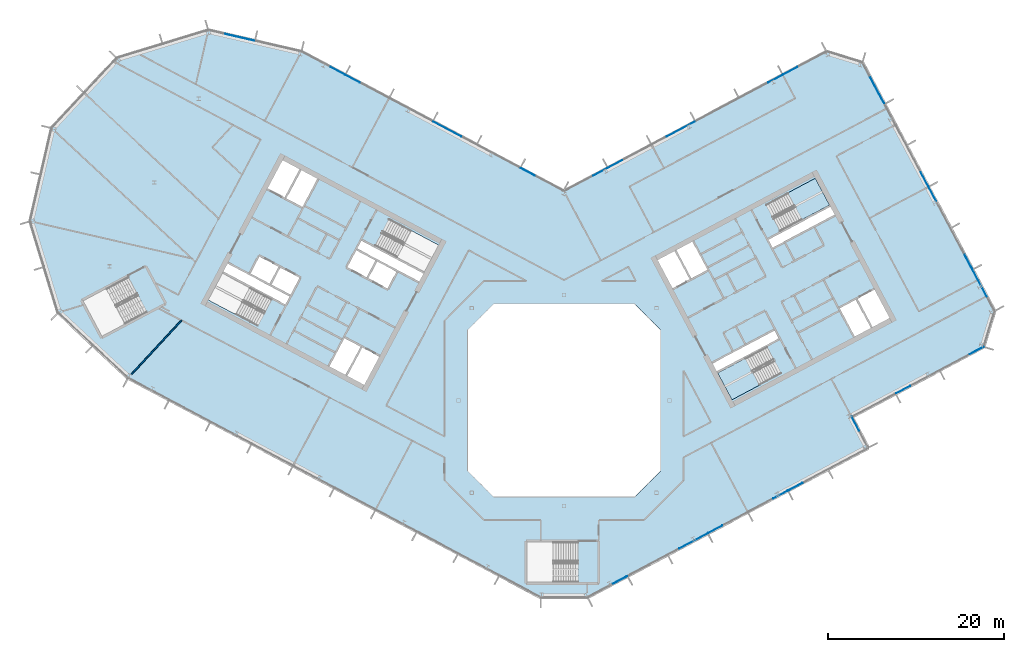
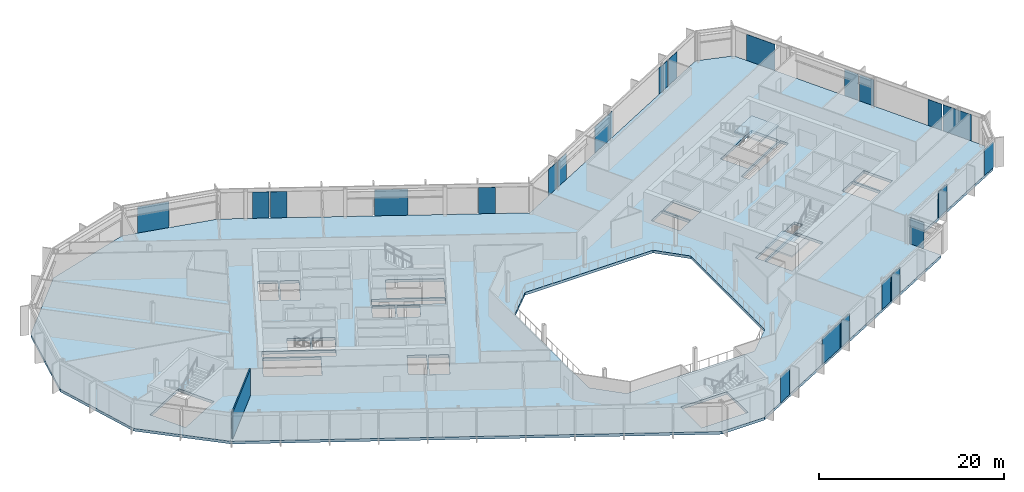
# One storey, part 12 of 27: 23 plates, 3 slabs, 1 wall, 9 elements without a shape of their own.
"""IFC4 building model written with IfcOpenShell, lengths in metres."""

import ifcopenshell
import ifcopenshell.guid

model = None  # the IFC model being written
_history = None  # IfcOwnerHistory: only IFC2X3 demands one
_inside = {}  # id of a spatial element -> (the spatial element, [elements in it])
_under = {}  # id of a project, library or spatial element -> (it, [spatial elements below it])
_declared = {}  # id of a project -> (the project, [libraries it declares])
_typed = {}  # id of a type object -> (the type object, [elements of that type])
_made_of = {}  # id of a material, layer set ... -> (it, [elements and type objects made of it])


def new_model(schema):
    """Start an empty IFC model of exactly this schema.

    Asked for "IFC4X3", IfcOpenShell would pick the latest addendum, in which some entities
    have other attributes; the version numbers below select the first issue.
    IFC2X3 requires an IfcOwnerHistory on every rooted entity: one is made here for all.
    """
    global model, _history
    if schema == "IFC4X3":
        model = ifcopenshell.file(schema_version=(4, 3, 0, 0))
    else:
        model = ifcopenshell.file(schema=schema)
    _inside.clear()
    _under.clear()
    _declared.clear()
    _typed.clear()
    _made_of.clear()
    _history = None
    if model.schema == "IFC2X3":
        org = make("IfcOrganization", Name="unknown")
        user = make(
            "IfcPersonAndOrganization",
            ThePerson=make("IfcPerson", FamilyName="unknown"),
            TheOrganization=org,
        )
        app = make(
            "IfcApplication",
            ApplicationDeveloper=org,
            Version="unknown",
            ApplicationFullName="unknown",
            ApplicationIdentifier="unknown",
        )
        _history = make(
            "IfcOwnerHistory",
            OwningUser=user,
            OwningApplication=app,
            ChangeAction="ADDED",
            CreationDate=0,
        )
    return model


def make(cls, **values):
    """One entity of the class cls with the attributes given. An attribute that is None is left unset."""
    return model.create_entity(
        cls, **{name: value for name, value in values.items() if value is not None}
    )


def rooted(cls, **values):
    """An entity with a GlobalId (a new one), such as an element, a storey or a relation."""
    return make(cls, GlobalId=ifcopenshell.guid.new(), OwnerHistory=_history, **values)


def si_unit(unit_type, name, prefix=None):
    """IfcSIUnit, for example si_unit("LENGTHUNIT", "METRE", prefix="MILLI")."""
    return make("IfcSIUnit", UnitType=unit_type, Prefix=prefix, Name=name)


def assignment(units):
    """IfcUnitAssignment: the units of a project."""
    return None if units is None else make("IfcUnitAssignment", Units=units)


def point(xyz):
    """IfcCartesianPoint."""
    return None if xyz is None else make("IfcCartesianPoint", Coordinates=xyz)


def direction(xyz):
    """IfcDirection."""
    return None if xyz is None else make("IfcDirection", DirectionRatios=xyz)


def frame(location, z_axis=None, x_axis=None):
    """IfcAxis2Placement3D, a coordinate frame: its origin and axes. An axis left out is left unset."""
    return make(
        "IfcAxis2Placement3D",
        Location=point(location),
        Axis=direction(z_axis),
        RefDirection=direction(x_axis),
    )


def frame_2d(location, x_axis=None):
    """IfcAxis2Placement2D, a coordinate frame in the plane: its origin and x axis."""
    return make(
        "IfcAxis2Placement2D", Location=point(location), RefDirection=direction(x_axis)
    )


def origin():
    """The frame at (0, 0, 0) with its axes left unset."""
    return frame((0.0, 0.0, 0.0))


def origin_2d():
    """The frame at (0, 0) in the plane with its x axis left unset."""
    return frame_2d((0.0, 0.0))


def place(relative_to, where):
    """IfcLocalPlacement: puts the frame where relative to a parent placement (None: the world)."""
    return make(
        "IfcLocalPlacement", PlacementRelTo=relative_to, RelativePlacement=where
    )


def context(
    kind, dimensions, precision=None, world=None, true_north=None, identifier=None
):
    """IfcGeometricRepresentationContext, for example the 3D "Model" context."""
    return make(
        "IfcGeometricRepresentationContext",
        ContextIdentifier=identifier,
        ContextType=kind,
        CoordinateSpaceDimension=dimensions,
        Precision=precision,
        WorldCoordinateSystem=world,
        TrueNorth=true_north,
    )


def subcontext(parent, identifier, kind, view, scale=None):
    """IfcGeometricRepresentationSubContext, for example "Body" below "Model"."""
    return make(
        "IfcGeometricRepresentationSubContext",
        ContextIdentifier=identifier,
        ContextType=kind,
        ParentContext=parent,
        TargetScale=scale,
        TargetView=view,
    )


def project(units=None, contexts=None):
    """IfcProject with its units and contexts."""
    return rooted(
        "IfcProject",
        Name="project",
        RepresentationContexts=contexts,
        UnitsInContext=assignment(units),
    )


def spatial(cls, under=None, at=None, **own):
    """A site, building, storey or space (cls), placed at a placement, below another one or the project."""
    s = rooted(cls, ObjectPlacement=at, **own)
    if under is not None:
        _under.setdefault(under.id(), (under, []))[1].append(s)
    return s


def polyline(points):
    """IfcPolyline through the points."""
    return make("IfcPolyline", Points=[point(p) for p in points])


def profile(cls, at=None, kind="AREA", **sizes):
    """A parametric profile (cls). Its sizes go by their IFC names, for example OverallWidth=200.0."""
    return make(cls, ProfileType=kind, Position=at, **sizes)


def rectangle(**sizes):
    """IfcRectangleProfileDef."""
    return profile("IfcRectangleProfileDef", **sizes)


def outline(outer, holes=None, kind="AREA"):
    """IfcArbitraryClosedProfileDef: a profile drawn as a closed curve; with holes, ...WithVoids."""
    if holes is None:
        return make("IfcArbitraryClosedProfileDef", ProfileType=kind, OuterCurve=outer)
    return make(
        "IfcArbitraryProfileDefWithVoids",
        ProfileType=kind,
        OuterCurve=outer,
        InnerCurves=holes,
    )


def extrude(swept, where, along, depth):
    """IfcExtrudedAreaSolid: the profile swept, set in the frame where, extruded along a direction by depth."""
    return make(
        "IfcExtrudedAreaSolid",
        SweptArea=swept,
        Position=where,
        ExtrudedDirection=direction(along),
        Depth=depth,
    )


def shape(context_of_items, identifier, shape_type, items):
    """IfcShapeRepresentation: the items that make up one representation, for example the "Body"."""
    return make(
        "IfcShapeRepresentation",
        ContextOfItems=context_of_items,
        RepresentationIdentifier=identifier,
        RepresentationType=shape_type,
        Items=items,
    )


def material(Name=None, Category=None):
    """IfcMaterial."""
    return make("IfcMaterial", Name=Name, Category=Category)


def layer(
    of_material, thickness, ventilated=None, Name=None, Category=None, Priority=None
):
    """IfcMaterialLayer: one layer of a wall or slab, of a material (None: an air gap)."""
    return make(
        "IfcMaterialLayer",
        Material=of_material,
        LayerThickness=thickness,
        IsVentilated=ventilated,
        Name=Name,
        Category=Category,
        Priority=Priority,
    )


def layer_set(layers, Name=None):
    """IfcMaterialLayerSet."""
    return make("IfcMaterialLayerSet", MaterialLayers=layers, LayerSetName=Name)


def made_of(thing, what):
    """Note that an element or type object is made of a material, layer set ...; save() writes the relation."""
    if what is not None:
        _made_of.setdefault(what.id(), (what, []))[1].append(thing)
    return thing


def type_object(cls, material=None, **own):
    """A type object (cls), such as IfcWallType, which elements share."""
    return made_of(rooted(cls, **own), material)


def element(
    cls,
    number,
    at=None,
    inside=None,
    cuts=None,
    type_object=None,
    material=None,
    context=None,
    identifier="Body",
    shape_type=None,
    held_by="IfcProductDefinitionShape",
    body=None,
    shapes=None,
    **own,
):
    """One element of the class cls, such as IfcWall. Its Tag is "e" and its number.

    at: its placement. inside: the storey or other place that contains it. cuts: it is an
    opening in that element (IfcRelVoidsElement). A single representation is given by context,
    identifier, shape_type and body (its items); several are given by shapes. held_by: the class
    of the entity that holds the representations. save() writes the other relations.
    """
    e = rooted(cls, Tag="e%d" % number, ObjectPlacement=at, **own)
    if body is not None:
        shapes = [shape(context, identifier, shape_type, body)]
    if shapes is not None:
        e.Representation = make(held_by, Representations=shapes)
    if inside is not None:
        _inside.setdefault(inside.id(), (inside, []))[1].append(e)
    if cuts is not None:
        rooted(
            "IfcRelVoidsElement", RelatingBuildingElement=cuts, RelatedOpeningElement=e
        )
    if type_object is not None:
        _typed.setdefault(type_object.id(), (type_object, []))[1].append(e)
    return made_of(e, material)


def aggregate(whole, parts):
    """IfcRelAggregates: a whole, such as a stair, and the parts it consists of."""
    return rooted("IfcRelAggregates", RelatingObject=whole, RelatedObjects=parts)


def save(model, path):
    """Write the relations noted so far, then the file.

    IfcRelAggregates (storeys below a building ...), IfcRelContainedInSpatialStructure (elements
    in a storey), IfcRelDefinesByType, IfcRelAssociatesMaterial and IfcRelDeclares: one each for
    every whole, place, type object, material and project.
    """
    for whole, parts in _under.values():
        aggregate(whole, parts)
    for where, things in _inside.values():
        rooted(
            "IfcRelContainedInSpatialStructure",
            RelatedElements=things,
            RelatingStructure=where,
        )
    for kind, things in _typed.values():
        rooted("IfcRelDefinesByType", RelatedObjects=things, RelatingType=kind)
    for what, things in _made_of.values():
        rooted("IfcRelAssociatesMaterial", RelatedObjects=things, RelatingMaterial=what)
    for by, libraries in _declared.values():
        rooted("IfcRelDeclares", RelatingContext=by, RelatedDefinitions=libraries)
    model.write(path)


model = new_model("IFC4")

# Units and contexts
model_context = context("Model", 3, precision=1e-05, world=origin(), true_north=direction((0.0, 1.0)))
body_context = subcontext(model_context, "Body", "Model", "MODEL_VIEW")
ifc_project = project(units=[si_unit("LENGTHUNIT", "METRE"), si_unit("AREAUNIT", "SQUARE_METRE"), si_unit("VOLUMEUNIT", "CUBIC_METRE"), si_unit("PLANEANGLEUNIT", "RADIAN"), si_unit("MASSUNIT", "GRAM", prefix="KILO")], contexts=[model_context])

# Site, building, storey
site_placement = place(None, origin())
site = spatial("IfcSite", under=ifc_project, at=site_placement, CompositionType="ELEMENT")
building_placement = place(site_placement, origin())
building = spatial("IfcBuilding", under=site, at=building_placement, Name="Cormorant Relay Tower", CompositionType="ELEMENT")
storey_placement = place(building_placement, frame((0.0, 0.0, 216.89990234375)))
storey = spatial("IfcBuildingStorey", under=building, at=storey_placement, Name="L47", CompositionType="ELEMENT", Elevation=216.89990234375)

# Curtain wall, plates
ifc_material_1 = material(Name="Aluminium 6063-T6 anodised bronze", Category="aluminium")
ifc_layer_1 = layer(ifc_material_1, 0.199951171875)
ifc_layer_set_1 = layer_set([ifc_layer_1], Name="CW1 unitised bronze curtain wall with vertical fins")
curtain_wall_type = type_object("IfcCurtainWallType", Name="CW1 unitised bronze curtain wall with vertical fins", PredefinedType="NOTDEFINED", material=ifc_layer_set_1)
curtain_wall_1_placement = place(storey_placement, origin())
curtain_wall_1 = element("IfcCurtainWall", 1, at=curtain_wall_1_placement, inside=storey, type_object=curtain_wall_type, Name="CW1 curtain wall 2", PredefinedType="NOTDEFINED")
ifc_material_2 = material(Name="Tinted laminated glass", Category="glass")
ifc_layer_2 = layer(ifc_material_2, 0.0400390625)
ifc_layer_set_2 = layer_set([ifc_layer_2], Name="CW1 tinted vision panel 1800 module")
plate_type_1 = type_object("IfcPlateType", Name="CW1 tinted vision panel 1800 module", PredefinedType="CURTAIN_PANEL", material=ifc_layer_set_2)
plate_1_placement = place(storey_placement, frame((6.359130859375, -20.42529296875, 0.0), z_axis=(0.0, 0.0, 1.0), x_axis=(0.882947592859, 0.469471562786, 0.0)))
plate_1 = element("IfcPlate", 2, at=plate_1_placement, type_object=plate_type_1, Name="CW1 panel V01", PredefinedType="CURTAIN_PANEL", context=body_context, shape_type="SweptSolid", body=[
    extrude(rectangle(XDim=1.800048828125, YDim=0.0400390625, at=origin_2d()), origin(), (0.0, 0.0, 1.0), 3.449951171875),
])
plate_2_placement = place(storey_placement, frame((17.20458984375, -14.65869140625, 0.0), z_axis=(0.0, 0.0, 1.0), x_axis=(0.882947592859, 0.469471562786, 0.0)))
plate_2 = element("IfcPlate", 3, at=plate_2_placement, type_object=plate_type_1, Name="CW1 panel V04", PredefinedType="CURTAIN_PANEL", context=body_context, shape_type="SweptSolid", body=[
    extrude(rectangle(XDim=1.800048828125, YDim=0.0400390625, at=origin_2d()), origin(), (0.0, 0.0, 1.0), 3.449951171875),
])
plate_3_placement = place(storey_placement, frame((24.6064453125, -10.72314453125, 0.0), z_axis=(0.0, 0.0, 1.0), x_axis=(0.882947592859, 0.469471562786, 0.0)))
plate_3 = element("IfcPlate", 4, at=plate_3_placement, type_object=plate_type_1, Name="CW1 panel V06", PredefinedType="CURTAIN_PANEL", context=body_context, shape_type="SweptSolid", body=[
    extrude(rectangle(XDim=1.800048828125, YDim=0.0400390625, at=origin_2d()), origin(), (0.0, 0.0, 1.0), 3.449951171875),
])
plate_4_placement = place(storey_placement, frame((26.328125, -9.8076171875, 0.0), z_axis=(0.0, 0.0, 1.0), x_axis=(0.882947592859, 0.469471562786, 0.0)))
plate_4 = element("IfcPlate", 5, at=plate_4_placement, type_object=plate_type_1, Name="CW1 panel V07", PredefinedType="CURTAIN_PANEL", context=body_context, shape_type="SweptSolid", body=[
    extrude(rectangle(XDim=1.800048828125, YDim=0.0400390625, at=origin_2d()), origin(), (0.0, 0.0, 1.0), 3.449951171875),
])

# Curtain wall, plate
curtain_wall_2_placement = place(storey_placement, origin())
curtain_wall_2 = element("IfcCurtainWall", 6, at=curtain_wall_2_placement, inside=storey, type_object=curtain_wall_type, Name="CW1 curtain wall 3", PredefinedType="NOTDEFINED")
plate_5_placement = place(storey_placement, frame((33.143798828125, -2.650146484375, 0.0), z_axis=(0.0, 0.0, 1.0), x_axis=(-0.469471562786, 0.882947592859, 0.0)))
plate_5 = element("IfcPlate", 7, at=plate_5_placement, type_object=plate_type_1, Name="CW1 panel V01", PredefinedType="CURTAIN_PANEL", context=body_context, shape_type="SweptSolid", body=[
    extrude(rectangle(XDim=1.800048828125, YDim=0.0400390625, at=origin_2d()), origin(), (0.0, 0.0, 1.0), 3.449951171875),
])
aggregate(curtain_wall_2, [plate_5])

# Curtain wall, plates
curtain_wall_3_placement = place(storey_placement, origin())
curtain_wall_3 = element("IfcCurtainWall", 8, at=curtain_wall_3_placement, inside=storey, type_object=curtain_wall_type, Name="CW1 curtain wall 4", PredefinedType="NOTDEFINED")
plate_6_placement = place(storey_placement, frame((38.5771484375, 1.235595703125, 0.0), z_axis=(0.0, 0.0, 1.0), x_axis=(0.882947592859, 0.469471562786, 0.0)))
plate_6 = element("IfcPlate", 9, at=plate_6_placement, type_object=plate_type_1, Name="CW1 panel V01", PredefinedType="CURTAIN_PANEL", context=body_context, shape_type="SweptSolid", body=[
    extrude(rectangle(XDim=1.800048828125, YDim=0.0400390625, at=origin_2d()), origin(), (0.0, 0.0, 1.0), 3.449951171875),
])
plate_7_placement = place(storey_placement, frame((46.928466796875, 5.67578125, 0.0), z_axis=(0.0, 0.0, 1.0), x_axis=(0.882947592859, 0.469471562786, 0.0)))
plate_7 = element("IfcPlate", 10, at=plate_7_placement, type_object=plate_type_1, Name="CW1 panel V03", PredefinedType="CURTAIN_PANEL", context=body_context, shape_type="SweptSolid", body=[
    extrude(rectangle(XDim=1.800048828125, YDim=0.0400390625, at=origin_2d()), origin(), (0.0, 0.0, 1.0), 3.449951171875),
])
aggregate(curtain_wall_3, [plate_6, plate_7])

curtain_wall_4_placement = place(storey_placement, origin())
curtain_wall_4 = element("IfcCurtainWall", 11, at=curtain_wall_4_placement, inside=storey, type_object=curtain_wall_type, Name="CW1 curtain wall 6", PredefinedType="NOTDEFINED")
plate_8_placement = place(storey_placement, frame((46.01025390625, 15.752685546875, 0.0), z_axis=(0.0, 0.0, 1.0), x_axis=(-0.469471562786, 0.882947592859, 0.0)))
plate_8 = element("IfcPlate", 12, at=plate_8_placement, type_object=plate_type_1, Name="CW1 panel V02", PredefinedType="CURTAIN_PANEL", context=body_context, shape_type="SweptSolid", body=[
    extrude(rectangle(XDim=1.800048828125, YDim=0.0400390625, at=origin_2d()), origin(), (0.0, 0.0, 1.0), 3.449951171875),
])
plate_9_placement = place(storey_placement, frame((41.91796875, 23.448974609375, 0.0), z_axis=(0.0, 0.0, 1.0), x_axis=(-0.469471562786, 0.882947592859, 0.0)))
plate_9 = element("IfcPlate", 13, at=plate_9_placement, type_object=plate_type_1, Name="CW1 panel V04", PredefinedType="CURTAIN_PANEL", context=body_context, shape_type="SweptSolid", body=[
    extrude(rectangle(XDim=1.800048828125, YDim=0.0400390625, at=origin_2d()), origin(), (0.0, 0.0, 1.0), 3.449951171875),
])
plate_10_placement = place(storey_placement, frame((41.00244140625, 25.1708984375, 0.0), z_axis=(0.0, 0.0, 1.0), x_axis=(-0.469471562786, 0.882947592859, 0.0)))
plate_10 = element("IfcPlate", 14, at=plate_10_placement, type_object=plate_type_1, Name="CW1 panel V05", PredefinedType="CURTAIN_PANEL", context=body_context, shape_type="SweptSolid", body=[
    extrude(rectangle(XDim=1.800048828125, YDim=0.0400390625, at=origin_2d()), origin(), (0.0, 0.0, 1.0), 3.449951171875),
])

curtain_wall_5_placement = place(storey_placement, origin())
curtain_wall_5 = element("IfcCurtainWall", 15, at=curtain_wall_5_placement, inside=storey, type_object=curtain_wall_type, Name="CW1 curtain wall 8", PredefinedType="NOTDEFINED")
plate_11_placement = place(storey_placement, frame((25.746337890625, 37.49609375, 0.0), z_axis=(0.0, 0.0, 1.0), x_axis=(-0.882947592859, -0.469471562786, 0.0)))
plate_11 = element("IfcPlate", 16, at=plate_11_placement, type_object=plate_type_1, Name="CW1 panel V01", PredefinedType="CURTAIN_PANEL", context=body_context, shape_type="SweptSolid", body=[
    extrude(rectangle(XDim=1.800048828125, YDim=0.0400390625, at=origin_2d()), origin(), (0.0, 0.0, 1.0), 3.449951171875),
])
plate_12_placement = place(storey_placement, frame((24.0244140625, 36.580810546875, 0.0), z_axis=(0.0, 0.0, 1.0), x_axis=(-0.882947592859, -0.469471562786, 0.0)))
plate_12 = element("IfcPlate", 17, at=plate_12_placement, type_object=plate_type_1, Name="CW1 panel V02", PredefinedType="CURTAIN_PANEL", context=body_context, shape_type="SweptSolid", body=[
    extrude(rectangle(XDim=1.800048828125, YDim=0.0400390625, at=origin_2d()), origin(), (0.0, 0.0, 1.0), 3.449951171875),
])
plate_13_placement = place(storey_placement, frame((5.830322265625, 26.90673828125, 0.0), z_axis=(0.0, 0.0, 1.0), x_axis=(-0.882947592859, -0.469471562786, 0.0)))
plate_13 = element("IfcPlate", 18, at=plate_13_placement, type_object=plate_type_1, Name="CW1 panel V06", PredefinedType="CURTAIN_PANEL", context=body_context, shape_type="SweptSolid", body=[
    extrude(rectangle(XDim=1.800048828125, YDim=0.0400390625, at=origin_2d()), origin(), (0.0, 0.0, 1.0), 3.449951171875),
])
plate_14_placement = place(storey_placement, frame((4.108642578125, 25.9912109375, 0.0), z_axis=(0.0, 0.0, 1.0), x_axis=(-0.882947592859, -0.469471562786, 0.0)))
plate_14 = element("IfcPlate", 19, at=plate_14_placement, type_object=plate_type_1, Name="CW1 panel V07", PredefinedType="CURTAIN_PANEL", context=body_context, shape_type="SweptSolid", body=[
    extrude(rectangle(XDim=1.800048828125, YDim=0.0400390625, at=origin_2d()), origin(), (0.0, 0.0, 1.0), 3.449951171875),
])

curtain_wall_6_placement = place(storey_placement, origin())
curtain_wall_6 = element("IfcCurtainWall", 20, at=curtain_wall_6_placement, inside=storey, type_object=curtain_wall_type, Name="CW1 curtain wall 9", PredefinedType="NOTDEFINED")
plate_15_placement = place(storey_placement, frame((-4.108642578125, 25.9912109375, 0.0), z_axis=(0.0, 0.0, 1.0), x_axis=(-0.882947592859, 0.469471562786, 0.0)))
plate_15 = element("IfcPlate", 21, at=plate_15_placement, type_object=plate_type_1, Name="CW1 panel V01", PredefinedType="CURTAIN_PANEL", context=body_context, shape_type="SweptSolid", body=[
    extrude(rectangle(XDim=1.800048828125, YDim=0.0400390625, at=origin_2d()), origin(), (0.0, 0.0, 1.0), 3.449951171875),
])
plate_16_placement = place(storey_placement, frame((-24.0244140625, 36.580810546875, 0.0), z_axis=(0.0, 0.0, 1.0), x_axis=(-0.882947592859, 0.469471562786, 0.0)))
plate_16 = element("IfcPlate", 22, at=plate_16_placement, type_object=plate_type_1, Name="CW1 panel V05", PredefinedType="CURTAIN_PANEL", context=body_context, shape_type="SweptSolid", body=[
    extrude(rectangle(XDim=1.800048828125, YDim=0.0400390625, at=origin_2d()), origin(), (0.0, 0.0, 1.0), 3.449951171875),
])
plate_17_placement = place(storey_placement, frame((-25.746337890625, 37.49609375, 0.0), z_axis=(0.0, 0.0, 1.0), x_axis=(-0.882947592859, 0.469471562786, 0.0)))
plate_17 = element("IfcPlate", 23, at=plate_17_placement, type_object=plate_type_1, Name="CW1 panel V06", PredefinedType="CURTAIN_PANEL", context=body_context, shape_type="SweptSolid", body=[
    extrude(rectangle(XDim=1.800048828125, YDim=0.0400390625, at=origin_2d()), origin(), (0.0, 0.0, 1.0), 3.449951171875),
])

# Plate
ifc_material_3 = material(Name="Tinted laminated glass", Category="glass")
ifc_layer_3 = layer(ifc_material_3, 0.0400390625)
ifc_layer_set_3 = layer_set([ifc_layer_3], Name="CW1 tinted vision panel 3600 module")
plate_type_2 = type_object("IfcPlateType", Name="CW1 tinted vision panel 3600 module", PredefinedType="CURTAIN_PANEL", material=ifc_layer_set_3)
plate_18_placement = place(storey_placement, frame((14.68798828125, -15.996826171875, 0.0), z_axis=(0.0, 0.0, 1.0), x_axis=(0.882947592859, 0.469471562786, 0.0)))
plate_18 = element("IfcPlate", 24, at=plate_18_placement, type_object=plate_type_2, Name="CW1 panel V03", PredefinedType="CURTAIN_PANEL", context=body_context, shape_type="SweptSolid", body=[
    extrude(rectangle(XDim=3.60009765625, YDim=0.0400390625, at=origin_2d()), origin(), (0.0, 0.0, 1.0), 3.449951171875),
])

aggregate(curtain_wall_1, [plate_1, plate_18, plate_2, plate_3, plate_4])

plate_19_placement = place(storey_placement, frame((47.34814453125, 13.236328125, 0.0), z_axis=(0.0, 0.0, 1.0), x_axis=(-0.469471562786, 0.882947592859, 0.0)))
plate_19 = element("IfcPlate", 25, at=plate_19_placement, type_object=plate_type_2, Name="CW1 panel V01", PredefinedType="CURTAIN_PANEL", context=body_context, shape_type="SweptSolid", body=[
    extrude(rectangle(XDim=3.60009765625, YDim=0.0400390625, at=origin_2d()), origin(), (0.0, 0.0, 1.0), 3.449951171875),
])

plate_20_placement = place(storey_placement, frame((35.572265625, 35.383544921875, 0.0), z_axis=(0.0, 0.0, 1.0), x_axis=(-0.469471562786, 0.882947592859, 0.0)))
plate_20 = element("IfcPlate", 26, at=plate_20_placement, type_object=plate_type_2, Name="CW1 panel V07", PredefinedType="CURTAIN_PANEL", context=body_context, shape_type="SweptSolid", body=[
    extrude(rectangle(XDim=3.60009765625, YDim=0.0400390625, at=origin_2d()), origin(), (0.0, 0.0, 1.0), 3.449951171875),
])

aggregate(curtain_wall_4, [plate_19, plate_8, plate_9, plate_10, plate_20])

plate_21_placement = place(storey_placement, frame((13.27197265625, 30.86328125, 0.0), z_axis=(0.0, 0.0, 1.0), x_axis=(-0.882947592859, -0.469471562786, 0.0)))
plate_21 = element("IfcPlate", 27, at=plate_21_placement, type_object=plate_type_2, Name="CW1 panel V04", PredefinedType="CURTAIN_PANEL", context=body_context, shape_type="SweptSolid", body=[
    extrude(rectangle(XDim=3.60009765625, YDim=0.0400390625, at=origin_2d()), origin(), (0.0, 0.0, 1.0), 3.449951171875),
])

aggregate(curtain_wall_5, [plate_11, plate_12, plate_21, plate_13, plate_14])

plate_22_placement = place(storey_placement, frame((-13.27197265625, 30.86328125, 0.0), z_axis=(0.0, 0.0, 1.0), x_axis=(-0.882947592859, 0.469471562786, 0.0)))
plate_22 = element("IfcPlate", 28, at=plate_22_placement, type_object=plate_type_2, Name="CW1 panel V03", PredefinedType="CURTAIN_PANEL", context=body_context, shape_type="SweptSolid", body=[
    extrude(rectangle(XDim=3.60009765625, YDim=0.0400390625, at=origin_2d()), origin(), (0.0, 0.0, 1.0), 3.449951171875),
])

aggregate(curtain_wall_6, [plate_15, plate_22, plate_16, plate_17])

# Curtain wall, plate
curtain_wall_7_placement = place(storey_placement, origin())
curtain_wall_7 = element("IfcCurtainWall", 29, at=curtain_wall_7_placement, inside=storey, type_object=curtain_wall_type, Name="CW1 curtain wall 10", PredefinedType="NOTDEFINED")
plate_23_placement = place(storey_placement, frame((-36.9921875, 41.33203125, 0.0), z_axis=(0.0, 0.0, 1.0), x_axis=(-0.974370064785, 0.224951054344, 0.0)))
plate_23 = element("IfcPlate", 30, at=plate_23_placement, type_object=plate_type_2, Name="CW1 panel V01", PredefinedType="CURTAIN_PANEL", context=body_context, shape_type="SweptSolid", body=[
    extrude(rectangle(XDim=3.60009765625, YDim=0.0400390625, at=origin_2d()), origin(), (0.0, 0.0, 1.0), 3.449951171875),
])
aggregate(curtain_wall_7, [plate_23])

# Stair, slab
ifc_material_4 = material(Name="Concrete 40 MPa", Category="concrete")
stair_type = type_object("IfcStairType", Name="Exit stair 1500", PredefinedType="HALF_TURN_STAIR", material=ifc_material_4)
stair_1_placement = place(storey_placement, origin())
stair_1 = element("IfcStair", 31, at=stair_1_placement, inside=storey, type_object=stair_type, Name="L47 Stair", PredefinedType="HALF_TURN_STAIR")
ifc_material_5 = material(Name="Concrete 40 MPa", Category="concrete")
ifc_layer_4 = layer(ifc_material_5, 0.199951171875)
ifc_layer_set_4 = layer_set([ifc_layer_4], Name="Exit stair landing 200")
slab_type_1 = type_object("IfcSlabType", Name="Exit stair landing 200", PredefinedType="LANDING", material=ifc_layer_set_4)
slab_1_placement = place(storey_placement, frame((0.0, 0.0, 1.75)))
slab_1 = element("IfcSlab", 32, at=slab_1_placement, type_object=slab_type_1, Name="B1 landing 1", PredefinedType="LANDING", context=body_context, shape_type="SweptSolid", body=[
    extrude(outline(polyline([(20.614990234375, 4.78857421875), (17.48046875, 3.1220703125), (19.10009765625, 0.075927734375), (22.234619140625, 1.742431640625), (20.614990234375, 4.78857421875)])), origin(), (0.0, 0.0, 1.0), 0.2001953125),
])
aggregate(stair_1, [slab_1])

stair_2_placement = place(storey_placement, origin())
stair_2 = element("IfcStair", 33, at=stair_2_placement, inside=storey, type_object=stair_type, Name="L47 Stair", PredefinedType="HALF_TURN_STAIR")
slab_2_placement = place(storey_placement, frame((0.0, 0.0, 1.75)))
slab_2 = element("IfcSlab", 34, at=slab_2_placement, type_object=slab_type_1, Name="B2 landing 1", PredefinedType="LANDING", context=body_context, shape_type="SweptSolid", body=[
    extrude(outline(polyline([(27.064208984375, 20.562744140625), (30.19873046875, 22.2294921875), (28.5791015625, 25.275634765625), (25.444580078125, 23.60888671875), (27.064208984375, 20.562744140625)])), origin(), (0.0, 0.0, 1.0), 0.2001953125),
])
aggregate(stair_2, [slab_2])

# Slab
ifc_material_6 = material(Name="Concrete 40 MPa", Category="concrete")
ifc_layer_5 = layer(ifc_material_6, 0.360107421875)
ifc_layer_set_5 = layer_set([ifc_layer_5], Name="Flat plate 360")
slab_type_2 = type_object("IfcSlabType", Name="Flat plate 360", PredefinedType="FLOOR", material=ifc_layer_set_5)
slab_3_placement = place(storey_placement, frame((0.0, 0.0, -0.35986328125)))
element("IfcSlab", 35, at=slab_3_placement, inside=storey, type_object=slab_type_2, Name="Floor slab L47", PredefinedType="FLOOR", context=body_context, shape_type="SweptSolid", body=[
    extrude(outline(polyline([(-60.7197265625, 20.393310546875), (-58.2744140625, 30.985107421875), (-50.86083984375, 38.935302734375), (-40.465576171875, 42.11328125), (-29.873779296875, 39.668212890625), (0.0, 23.783935546875), (29.873779296875, 39.668212890625), (33.930908203125, 38.427734375), (48.9541015625, 10.17333984375), (47.713623046875, 6.1162109375), (32.70361328125, -1.864990234375), (34.581298828125, -5.396728515625), (2.648681640625, -22.37548828125), (-2.648681640625, -22.37548828125), (-49.591552734375, 2.584228515625), (-57.541748046875, 9.997802734375), (-60.7197265625, 20.393310546875)]), holes=[polyline([(11.0, -8.0), (11.0, 8.0), (8.0, 11.0), (-8.0, 11.0), (-11.0, 8.0), (-11.0, -8.0), (-8.0, -11.0), (8.0, -11.0), (11.0, -8.0)]), polyline([(-22.95458984375, 6.03271484375), (-24.668212890625, 2.81005859375), (-22.725830078125, 1.777099609375), (-21.01220703125, 5.0), (-23.04296875, 6.07958984375), (-22.95458984375, 6.03271484375)]), polyline([(-24.985595703125, 7.112548828125), (-26.69921875, 3.889892578125), (-24.844970703125, 2.90380859375), (-23.13134765625, 6.126708984375), (-23.04296875, 6.07958984375), (-24.985595703125, 7.112548828125)]), polyline([(-54.69970703125, 11.330810546875), (-52.563720703125, 7.3134765625), (-47.442626953125, 10.036376953125), (-49.57861328125, 14.0537109375), (-54.69970703125, 11.330810546875)]), polyline([(-33.240966796875, 11.502197265625), (-38.847900390625, 14.483154296875), (-40.46728515625, 11.43701171875), (-34.860595703125, 8.455810546875), (-33.240966796875, 11.502197265625)]), polyline([(-38.260986328125, 15.5869140625), (-38.75390625, 14.659912109375), (-31.690185546875, 10.904052734375), (-31.197265625, 11.8310546875), (-38.260986328125, 15.5869140625)]), polyline([(-31.103515625, 12.0078125), (-30.070556640625, 13.9501953125), (-32.278076171875, 15.123779296875), (-33.310791015625, 13.181396484375), (-31.103515625, 12.0078125)]), polyline([(-22.2880859375, 13.889404296875), (-20.080810546875, 12.7158203125), (-19.048095703125, 14.658203125), (-21.25537109375, 15.831787109375), (-22.2880859375, 13.889404296875)]), polyline([(-34.661865234375, 16.3916015625), (-35.69482421875, 14.448974609375), (-33.4873046875, 13.275390625), (-32.45458984375, 15.2177734375), (-34.661865234375, 16.3916015625)]), polyline([(-22.46484375, 13.9833984375), (-21.431884765625, 15.92578125), (-23.639404296875, 17.099609375), (-24.672119140625, 15.156982421875), (-22.46484375, 13.9833984375)]), polyline([(-31.611572265625, 22.980712890625), (-29.75732421875, 21.99462890625), (-28.043701171875, 25.217529296875), (-29.89794921875, 26.203369140625), (-31.611572265625, 22.980712890625)]), polyline([(-32.01708984375, 27.330078125), (-33.73046875, 24.107421875), (-31.7880859375, 23.074462890625), (-30.074462890625, 26.29736328125), (-32.01708984375, 27.330078125)]), polyline([(-4.199951171875, -16.125), (-4.199951171875, -20.675048828125), (1.60009765625, -20.675048828125), (1.60009765625, -16.125), (-4.199951171875, -16.125)]), polyline([(17.48046875, 3.1220703125), (19.10009765625, 0.07568359375), (24.706787109375, 3.056884765625), (23.087158203125, 6.10302734375), (17.48046875, 3.1220703125)]), polyline([(17.386474609375, 3.298583984375), (24.4501953125, 7.054443359375), (23.957275390625, 7.9814453125), (16.8935546875, 4.2255859375), (17.386474609375, 3.298583984375)]), polyline([(33.197021484375, 11.478515625), (31.3427734375, 10.49267578125), (33.056396484375, 7.27001953125), (34.910400390625, 8.255859375), (33.197021484375, 11.478515625)]), polyline([(33.37353515625, 11.572509765625), (35.087158203125, 8.349609375), (37.029541015625, 9.382568359375), (35.31591796875, 12.605224609375), (33.37353515625, 11.572509765625)]), polyline([(14.3056640625, 13.779052734375), (12.592041015625, 17.001708984375), (10.649658203125, 15.968994140625), (12.36328125, 12.74609375), (14.39404296875, 13.825927734375), (14.3056640625, 13.779052734375)]), polyline([(16.33642578125, 14.85888671875), (14.622802734375, 18.08154296875), (12.768798828125, 17.095703125), (14.482421875, 13.872802734375), (14.39404296875, 13.825927734375), (16.33642578125, 14.85888671875)]), polyline([(-16.481689453125, 13.520263671875), (-15.989013671875, 14.447509765625), (-23.052490234375, 18.203125), (-23.54541015625, 17.276123046875), (-16.481689453125, 13.520263671875)]), polyline([(-15.89501953125, 14.6240234375), (-14.275390625, 17.670166015625), (-19.882080078125, 20.6513671875), (-21.501708984375, 17.605224609375), (-15.89501953125, 14.6240234375)]), polyline([(30.78564453125, 21.125732421875), (30.29248046875, 22.052978515625), (23.22900390625, 18.297119140625), (23.721923828125, 17.3701171875), (30.78564453125, 21.125732421875)]), polyline([(24.592041015625, 19.248291015625), (30.19873046875, 22.2294921875), (28.5791015625, 25.275634765625), (22.972412109375, 22.29443359375), (24.592041015625, 19.248291015625)])]), origin(), (0.0, 0.0, 1.0), 0.35986328125),
])

# Wall
ifc_material_7 = material(Name="Gypsum board partition")
ifc_layer_6 = layer(ifc_material_7, 0.14990234375)
ifc_layer_set_6 = layer_set([ifc_layer_6], Name="Tenant partition 150")
wall_type = type_object("IfcWallType", Name="Tenant partition 150", PredefinedType="PARTITIONING", material=ifc_layer_set_6)
wall_placement = place(storey_placement, frame((-49.2490234375, 2.950927734375, 0.0), z_axis=(0.0, 0.0, 1.0), x_axis=(0.681961621959, 0.73138795873, 0.0)))
element("IfcWall", 36, at=wall_placement, inside=storey, type_object=wall_type, Name="wall/L47/part/009", PredefinedType="PARTITIONING", context=body_context, shape_type="SweptSolid", body=[
    extrude(rectangle(XDim=8.4169921875, YDim=0.14990234375, at=frame_2d((4.20849609375, 0.0))), origin(), (0.0, 0.0, 1.0), 3.5400390625),
])

save(model, "model.ifc")
